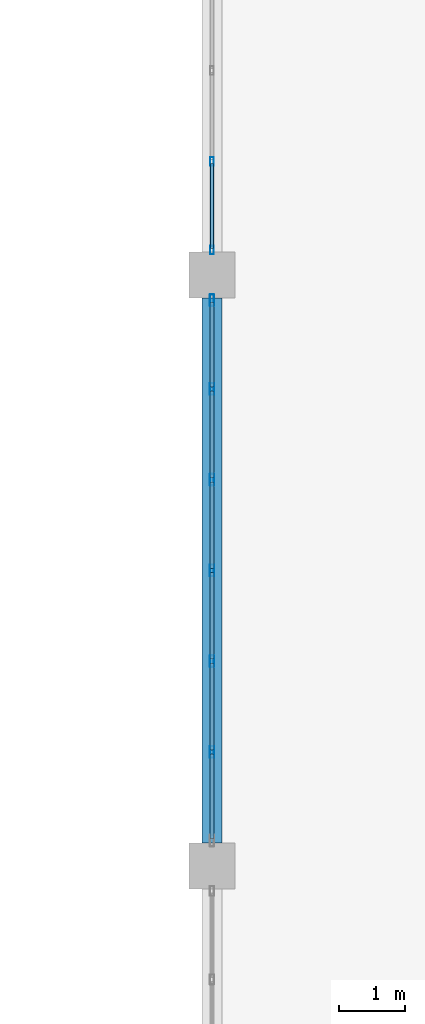
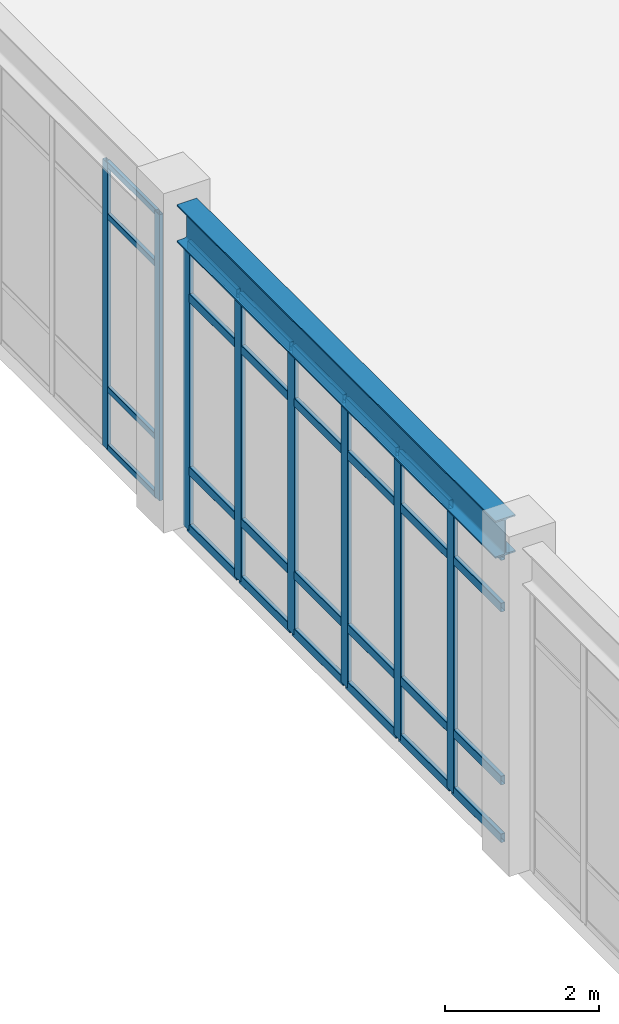
# One storey, part 34 of 80: 36 members, 1 beam, 2 elements without a shape of their own.
"""IFC4 building model written with IfcOpenShell, lengths in metres."""

import ifcopenshell
import ifcopenshell.guid

model = None  # the IFC model being written
_history = None  # IfcOwnerHistory: only IFC2X3 demands one
_inside = {}  # id of a spatial element -> (the spatial element, [elements in it])
_under = {}  # id of a project, library or spatial element -> (it, [spatial elements below it])
_declared = {}  # id of a project -> (the project, [libraries it declares])
_typed = {}  # id of a type object -> (the type object, [elements of that type])
_made_of = {}  # id of a material, layer set ... -> (it, [elements and type objects made of it])


def new_model(schema):
    """Start an empty IFC model of exactly this schema.

    Asked for "IFC4X3", IfcOpenShell would pick the latest addendum, in which some entities
    have other attributes; the version numbers below select the first issue.
    IFC2X3 requires an IfcOwnerHistory on every rooted entity: one is made here for all.
    """
    global model, _history
    if schema == "IFC4X3":
        model = ifcopenshell.file(schema_version=(4, 3, 0, 0))
    else:
        model = ifcopenshell.file(schema=schema)
    _inside.clear()
    _under.clear()
    _declared.clear()
    _typed.clear()
    _made_of.clear()
    _history = None
    if model.schema == "IFC2X3":
        org = make("IfcOrganization", Name="unknown")
        user = make(
            "IfcPersonAndOrganization",
            ThePerson=make("IfcPerson", FamilyName="unknown"),
            TheOrganization=org,
        )
        app = make(
            "IfcApplication",
            ApplicationDeveloper=org,
            Version="unknown",
            ApplicationFullName="unknown",
            ApplicationIdentifier="unknown",
        )
        _history = make(
            "IfcOwnerHistory",
            OwningUser=user,
            OwningApplication=app,
            ChangeAction="ADDED",
            CreationDate=0,
        )
    return model


def make(cls, **values):
    """One entity of the class cls with the attributes given. An attribute that is None is left unset."""
    return model.create_entity(
        cls, **{name: value for name, value in values.items() if value is not None}
    )


def rooted(cls, **values):
    """An entity with a GlobalId (a new one), such as an element, a storey or a relation."""
    return make(cls, GlobalId=ifcopenshell.guid.new(), OwnerHistory=_history, **values)


def si_unit(unit_type, name, prefix=None):
    """IfcSIUnit, for example si_unit("LENGTHUNIT", "METRE", prefix="MILLI")."""
    return make("IfcSIUnit", UnitType=unit_type, Prefix=prefix, Name=name)


def assignment(units):
    """IfcUnitAssignment: the units of a project."""
    return None if units is None else make("IfcUnitAssignment", Units=units)


def point(xyz):
    """IfcCartesianPoint."""
    return None if xyz is None else make("IfcCartesianPoint", Coordinates=xyz)


def direction(xyz):
    """IfcDirection."""
    return None if xyz is None else make("IfcDirection", DirectionRatios=xyz)


def frame(location, z_axis=None, x_axis=None):
    """IfcAxis2Placement3D, a coordinate frame: its origin and axes. An axis left out is left unset."""
    return make(
        "IfcAxis2Placement3D",
        Location=point(location),
        Axis=direction(z_axis),
        RefDirection=direction(x_axis),
    )


def frame_2d(location, x_axis=None):
    """IfcAxis2Placement2D, a coordinate frame in the plane: its origin and x axis."""
    return make(
        "IfcAxis2Placement2D", Location=point(location), RefDirection=direction(x_axis)
    )


def origin():
    """The frame at (0, 0, 0) with its axes left unset."""
    return frame((0.0, 0.0, 0.0))


def origin_2d():
    """The frame at (0, 0) in the plane with its x axis left unset."""
    return frame_2d((0.0, 0.0))


def place(relative_to, where):
    """IfcLocalPlacement: puts the frame where relative to a parent placement (None: the world)."""
    return make(
        "IfcLocalPlacement", PlacementRelTo=relative_to, RelativePlacement=where
    )


def context(
    kind, dimensions, precision=None, world=None, true_north=None, identifier=None
):
    """IfcGeometricRepresentationContext, for example the 3D "Model" context."""
    return make(
        "IfcGeometricRepresentationContext",
        ContextIdentifier=identifier,
        ContextType=kind,
        CoordinateSpaceDimension=dimensions,
        Precision=precision,
        WorldCoordinateSystem=world,
        TrueNorth=true_north,
    )


def subcontext(parent, identifier, kind, view, scale=None):
    """IfcGeometricRepresentationSubContext, for example "Body" below "Model"."""
    return make(
        "IfcGeometricRepresentationSubContext",
        ContextIdentifier=identifier,
        ContextType=kind,
        ParentContext=parent,
        TargetScale=scale,
        TargetView=view,
    )


def project(units=None, contexts=None):
    """IfcProject with its units and contexts."""
    return rooted(
        "IfcProject",
        Name="project",
        RepresentationContexts=contexts,
        UnitsInContext=assignment(units),
    )


def spatial(cls, under=None, at=None, **own):
    """A site, building, storey or space (cls), placed at a placement, below another one or the project."""
    s = rooted(cls, ObjectPlacement=at, **own)
    if under is not None:
        _under.setdefault(under.id(), (under, []))[1].append(s)
    return s


def profile(cls, at=None, kind="AREA", **sizes):
    """A parametric profile (cls). Its sizes go by their IFC names, for example OverallWidth=200.0."""
    return make(cls, ProfileType=kind, Position=at, **sizes)


def hollow_rectangle(**sizes):
    """IfcRectangleHollowProfileDef."""
    return profile("IfcRectangleHollowProfileDef", **sizes)


def i_section(**sizes):
    """IfcIShapeProfileDef."""
    return profile("IfcIShapeProfileDef", **sizes)


def extrude(swept, where, along, depth):
    """IfcExtrudedAreaSolid: the profile swept, set in the frame where, extruded along a direction by depth."""
    return make(
        "IfcExtrudedAreaSolid",
        SweptArea=swept,
        Position=where,
        ExtrudedDirection=direction(along),
        Depth=depth,
    )


def shape(context_of_items, identifier, shape_type, items):
    """IfcShapeRepresentation: the items that make up one representation, for example the "Body"."""
    return make(
        "IfcShapeRepresentation",
        ContextOfItems=context_of_items,
        RepresentationIdentifier=identifier,
        RepresentationType=shape_type,
        Items=items,
    )


def material(Name=None, Category=None):
    """IfcMaterial."""
    return make("IfcMaterial", Name=Name, Category=Category)


def material_profile(
    of_material, cross_section, Name=None, Category=None, Priority=None
):
    """IfcMaterialProfile: a cross section and its material."""
    return make(
        "IfcMaterialProfile",
        Name=Name,
        Material=of_material,
        Profile=cross_section,
        Priority=Priority,
        Category=Category,
    )


def profile_set(profiles, Name=None, composite=None):
    """IfcMaterialProfileSet."""
    return make(
        "IfcMaterialProfileSet",
        Name=Name,
        MaterialProfiles=profiles,
        CompositeProfile=composite,
    )


def made_of(thing, what):
    """Note that an element or type object is made of a material, layer set ...; save() writes the relation."""
    if what is not None:
        _made_of.setdefault(what.id(), (what, []))[1].append(thing)
    return thing


def type_object(cls, material=None, **own):
    """A type object (cls), such as IfcWallType, which elements share."""
    return made_of(rooted(cls, **own), material)


def element(
    cls,
    number,
    at=None,
    inside=None,
    cuts=None,
    type_object=None,
    material=None,
    context=None,
    identifier="Body",
    shape_type=None,
    held_by="IfcProductDefinitionShape",
    body=None,
    shapes=None,
    **own,
):
    """One element of the class cls, such as IfcWall. Its Tag is "e" and its number.

    at: its placement. inside: the storey or other place that contains it. cuts: it is an
    opening in that element (IfcRelVoidsElement). A single representation is given by context,
    identifier, shape_type and body (its items); several are given by shapes. held_by: the class
    of the entity that holds the representations. save() writes the other relations.
    """
    e = rooted(cls, Tag="e%d" % number, ObjectPlacement=at, **own)
    if body is not None:
        shapes = [shape(context, identifier, shape_type, body)]
    if shapes is not None:
        e.Representation = make(held_by, Representations=shapes)
    if inside is not None:
        _inside.setdefault(inside.id(), (inside, []))[1].append(e)
    if cuts is not None:
        rooted(
            "IfcRelVoidsElement", RelatingBuildingElement=cuts, RelatedOpeningElement=e
        )
    if type_object is not None:
        _typed.setdefault(type_object.id(), (type_object, []))[1].append(e)
    return made_of(e, material)


def aggregate(whole, parts):
    """IfcRelAggregates: a whole, such as a stair, and the parts it consists of."""
    return rooted("IfcRelAggregates", RelatingObject=whole, RelatedObjects=parts)


def save(model, path):
    """Write the relations noted so far, then the file.

    IfcRelAggregates (storeys below a building ...), IfcRelContainedInSpatialStructure (elements
    in a storey), IfcRelDefinesByType, IfcRelAssociatesMaterial and IfcRelDeclares: one each for
    every whole, place, type object, material and project.
    """
    for whole, parts in _under.values():
        aggregate(whole, parts)
    for where, things in _inside.values():
        rooted(
            "IfcRelContainedInSpatialStructure",
            RelatedElements=things,
            RelatingStructure=where,
        )
    for kind, things in _typed.values():
        rooted("IfcRelDefinesByType", RelatedObjects=things, RelatingType=kind)
    for what, things in _made_of.values():
        rooted("IfcRelAssociatesMaterial", RelatedObjects=things, RelatingMaterial=what)
    for by, libraries in _declared.values():
        rooted("IfcRelDeclares", RelatingContext=by, RelatedDefinitions=libraries)
    model.write(path)


model = new_model("IFC4")

# Units and contexts
model_context = context("Model", 3, precision=1e-05, world=origin(), true_north=direction((0.0, 1.0)))
body_context = subcontext(model_context, "Body", "Model", "MODEL_VIEW")
ifc_project = project(units=[si_unit("LENGTHUNIT", "METRE"), si_unit("AREAUNIT", "SQUARE_METRE"), si_unit("VOLUMEUNIT", "CUBIC_METRE"), si_unit("PLANEANGLEUNIT", "RADIAN"), si_unit("MASSUNIT", "GRAM", prefix="KILO")], contexts=[model_context])

# Site, building, storey
site_placement = place(None, origin())
site = spatial("IfcSite", under=ifc_project, at=site_placement, CompositionType="ELEMENT")
building_placement = place(site_placement, origin())
building = spatial("IfcBuilding", under=site, at=building_placement, Name="Canglan Escarpment Cableway Terminal", CompositionType="ELEMENT")
storey_placement = place(building_placement, frame((0.0, 0.0, 19.199951171875)))
storey = spatial("IfcBuildingStorey", under=building, at=storey_placement, Name="L04", CompositionType="ELEMENT", Elevation=19.199951171875)

# Beam
ifc_material_1 = material(Name="Steel Q355C", Category="steel")
ifc_material_profile_1 = material_profile(ifc_material_1, i_section(OverallWidth=0.302001953125, OverallDepth=0.593994140625, WebThickness=0.013916015625, FlangeThickness=0.02294921875, FilletRadius=0.028076171875, at=origin_2d()), Name="HM 594x302x14x23")
ifc_profile_set_1 = profile_set([ifc_material_profile_1], Name="Steel Q355C")
beam_type = type_object("IfcBeamType", Name="BM-HM594", PredefinedType="BEAM", material=ifc_profile_set_1)
beam_placement = place(storey_placement, frame((137.60009765625, 70.35009765625, 4.863037109375), z_axis=(0.0, 1.0, 0.0), x_axis=(-1.0, 0.0, 0.0)))
element("IfcBeam", 1, at=beam_placement, inside=storey, type_object=beam_type, Name="Primary transverse girder B-07", PredefinedType="BEAM", context=body_context, shape_type="SweptSolid", body=[
    extrude(i_section(OverallWidth=0.302001953125, OverallDepth=0.593994140625, WebThickness=0.013916015625, FlangeThickness=0.02294921875, FilletRadius=0.028076171875, at=origin_2d()), origin(), (0.0, 0.0, 1.0), 8.2998046875),
])

# Curtain wall, members
ifc_material_2 = material(Name="Anodized bronze aluminium and Low-E double glazing", Category="aluminium")
curtain_wall_type = type_object("IfcCurtainWallType", Name="CW-BAY-8300x4550", PredefinedType="NOTDEFINED", material=ifc_material_2)
curtain_wall_1_placement = place(storey_placement, origin())
curtain_wall_1 = element("IfcCurtainWall", 2, at=curtain_wall_1_placement, inside=storey, type_object=curtain_wall_type, Name="Classical bay-between-piers glazed curtain wall CW-64", PredefinedType="NOTDEFINED")
ifc_material_3 = material(Name="Thermally broken anodized aluminium 6063-T6", Category="aluminium")
ifc_material_profile_2 = material_profile(ifc_material_3, hollow_rectangle(XDim=0.06005859375, YDim=0.1298828125, WallThickness=0.0029296875, InnerFilletRadius=0.0029296875, OuterFilletRadius=0.006103515625, at=origin_2d()), Name="ALU-MULL 60x130x3")
ifc_profile_set_2 = profile_set([ifc_material_profile_2], Name="Thermally broken anodized aluminium 6063-T6")
member_type_1 = type_object("IfcMemberType", Name="CWM-01", PredefinedType="MULLION", material=ifc_profile_set_2)
member_1_placement = place(storey_placement, frame((137.60009765625, 80.7333984375, 0.0), z_axis=(0.0, 0.0, 1.0), x_axis=(1.0, 0.0, 0.0)))
member_1 = element("IfcMember", 3, at=member_1_placement, type_object=member_type_1, Name="CW-64 mullion 6", PredefinedType="MULLION", context=body_context, shape_type="SweptSolid", body=[
    extrude(hollow_rectangle(XDim=0.06005859375, YDim=0.1298828125, WallThickness=0.0029296875, InnerFilletRadius=0.0029296875, OuterFilletRadius=0.006103515625, at=origin_2d()), origin(), (0.0, 0.0, 1.0), 4.551025390625),
])
member_2_placement = place(storey_placement, frame((137.60009765625, 79.3798828125, 0.0), z_axis=(0.0, 0.0, 1.0), x_axis=(1.0, 0.0, 0.0)))
member_2 = element("IfcMember", 4, at=member_2_placement, type_object=member_type_1, Name="CW-64 mullion 7", PredefinedType="MULLION", context=body_context, shape_type="SweptSolid", body=[
    extrude(hollow_rectangle(XDim=0.06005859375, YDim=0.1298828125, WallThickness=0.0029296875, InnerFilletRadius=0.0029296875, OuterFilletRadius=0.006103515625, at=origin_2d()), origin(), (0.0, 0.0, 1.0), 4.551025390625),
])

curtain_wall_2_placement = place(storey_placement, origin())
curtain_wall_2 = element("IfcCurtainWall", 5, at=curtain_wall_2_placement, inside=storey, type_object=curtain_wall_type, Name="Classical bay-between-piers glazed curtain wall CW-64", PredefinedType="NOTDEFINED")
ifc_material_profile_3 = material_profile(ifc_material_3, hollow_rectangle(XDim=0.06494140625, YDim=0.179931640625, WallThickness=0.00390625, InnerFilletRadius=0.00390625, OuterFilletRadius=0.008056640625, at=origin_2d()), Name="ALU-MULL 65x180x4")
ifc_profile_set_3 = profile_set([ifc_material_profile_3], Name="Thermally broken anodized aluminium 6063-T6")
member_type_2 = type_object("IfcMemberType", Name="CWM-03", PredefinedType="MULLION", material=ifc_profile_set_3)
member_3_placement = place(storey_placement, frame((137.60009765625, 78.617431640625, 0.0), z_axis=(0.0, 0.0, 1.0), x_axis=(1.0, 0.0, 0.0)))
member_3 = element("IfcMember", 6, at=member_3_placement, type_object=member_type_2, Name="CW-64 mullion 1", PredefinedType="MULLION", context=body_context, shape_type="SweptSolid", body=[
    extrude(hollow_rectangle(XDim=0.06494140625, YDim=0.179931640625, WallThickness=0.00390625, InnerFilletRadius=0.00390625, OuterFilletRadius=0.008056640625, at=origin_2d()), origin(), (0.0, 0.0, 1.0), 4.551025390625),
])
member_4_placement = place(storey_placement, frame((137.60009765625, 77.2666015625, 0.0), z_axis=(0.0, 0.0, 1.0), x_axis=(1.0, 0.0, 0.0)))
member_4 = element("IfcMember", 7, at=member_4_placement, type_object=member_type_2, Name="CW-64 mullion 2", PredefinedType="MULLION", context=body_context, shape_type="SweptSolid", body=[
    extrude(hollow_rectangle(XDim=0.06494140625, YDim=0.179931640625, WallThickness=0.00390625, InnerFilletRadius=0.00390625, OuterFilletRadius=0.008056640625, at=origin_2d()), origin(), (0.0, 0.0, 1.0), 4.551025390625),
])
member_5_placement = place(storey_placement, frame((137.60009765625, 75.88330078125, 0.0), z_axis=(0.0, 0.0, 1.0), x_axis=(1.0, 0.0, 0.0)))
member_5 = element("IfcMember", 8, at=member_5_placement, type_object=member_type_2, Name="CW-64 mullion 3", PredefinedType="MULLION", context=body_context, shape_type="SweptSolid", body=[
    extrude(hollow_rectangle(XDim=0.06494140625, YDim=0.179931640625, WallThickness=0.00390625, InnerFilletRadius=0.00390625, OuterFilletRadius=0.008056640625, at=origin_2d()), origin(), (0.0, 0.0, 1.0), 4.551025390625),
])
member_6_placement = place(storey_placement, frame((137.60009765625, 74.5, 0.0), z_axis=(0.0, 0.0, 1.0), x_axis=(1.0, 0.0, 0.0)))
member_6 = element("IfcMember", 9, at=member_6_placement, type_object=member_type_2, Name="CW-64 mullion 4", PredefinedType="MULLION", context=body_context, shape_type="SweptSolid", body=[
    extrude(hollow_rectangle(XDim=0.06494140625, YDim=0.179931640625, WallThickness=0.00390625, InnerFilletRadius=0.00390625, OuterFilletRadius=0.008056640625, at=origin_2d()), origin(), (0.0, 0.0, 1.0), 4.551025390625),
])
member_7_placement = place(storey_placement, frame((137.60009765625, 73.11669921875, 0.0), z_axis=(0.0, 0.0, 1.0), x_axis=(1.0, 0.0, 0.0)))
member_7 = element("IfcMember", 10, at=member_7_placement, type_object=member_type_2, Name="CW-64 mullion 5", PredefinedType="MULLION", context=body_context, shape_type="SweptSolid", body=[
    extrude(hollow_rectangle(XDim=0.06494140625, YDim=0.179931640625, WallThickness=0.00390625, InnerFilletRadius=0.00390625, OuterFilletRadius=0.008056640625, at=origin_2d()), origin(), (0.0, 0.0, 1.0), 4.551025390625),
])
member_8_placement = place(storey_placement, frame((137.60009765625, 71.7333984375, 0.0), z_axis=(0.0, 0.0, 1.0), x_axis=(1.0, 0.0, 0.0)))
member_8 = element("IfcMember", 11, at=member_8_placement, type_object=member_type_2, Name="CW-64 mullion 6", PredefinedType="MULLION", context=body_context, shape_type="SweptSolid", body=[
    extrude(hollow_rectangle(XDim=0.06494140625, YDim=0.179931640625, WallThickness=0.00390625, InnerFilletRadius=0.00390625, OuterFilletRadius=0.008056640625, at=origin_2d()), origin(), (0.0, 0.0, 1.0), 4.551025390625),
])

# Member
ifc_material_profile_4 = material_profile(ifc_material_3, hollow_rectangle(XDim=0.054931640625, YDim=0.094970703125, WallThickness=0.0029296875, InnerFilletRadius=0.0029296875, OuterFilletRadius=0.006103515625, at=origin_2d()), Name="ALU-TRAN 55x95x3")
ifc_profile_set_4 = profile_set([ifc_material_profile_4], Name="Thermally broken anodized aluminium 6063-T6")
member_type_3 = type_object("IfcMemberType", Name="CWT-01", PredefinedType="USERDEFINED", material=ifc_profile_set_4)
member_9_placement = place(storey_placement, frame((137.60009765625, 80.703369140625, 0.027587890625), z_axis=(0.0, -1.0, 0.0), x_axis=(1.0, 0.0, 0.0)))
member_9 = element("IfcMember", 12, at=member_9_placement, type_object=member_type_3, Name="CW-64 transom 6.1", ObjectType="TRANSOM", PredefinedType="USERDEFINED", context=body_context, shape_type="SweptSolid", body=[
    extrude(hollow_rectangle(XDim=0.054931640625, YDim=0.094970703125, WallThickness=0.0029296875, InnerFilletRadius=0.0029296875, OuterFilletRadius=0.006103515625, at=origin_2d()), origin(), (0.0, 0.0, 1.0), 1.29345703125),
])

member_10_placement = place(storey_placement, frame((137.60009765625, 80.703369140625, 0.949951171875), z_axis=(0.0, -1.0, 0.0), x_axis=(1.0, 0.0, 0.0)))
member_10 = element("IfcMember", 13, at=member_10_placement, type_object=member_type_3, Name="CW-64 transom 6.2", ObjectType="TRANSOM", PredefinedType="USERDEFINED", context=body_context, shape_type="SweptSolid", body=[
    extrude(hollow_rectangle(XDim=0.054931640625, YDim=0.094970703125, WallThickness=0.0029296875, InnerFilletRadius=0.0029296875, OuterFilletRadius=0.006103515625, at=origin_2d()), origin(), (0.0, 0.0, 1.0), 1.29345703125),
])

member_11_placement = place(storey_placement, frame((137.60009765625, 80.703369140625, 3.700927734375), z_axis=(0.0, -1.0, 0.0), x_axis=(1.0, 0.0, 0.0)))
member_11 = element("IfcMember", 14, at=member_11_placement, type_object=member_type_3, Name="CW-64 transom 6.3", ObjectType="TRANSOM", PredefinedType="USERDEFINED", context=body_context, shape_type="SweptSolid", body=[
    extrude(hollow_rectangle(XDim=0.054931640625, YDim=0.094970703125, WallThickness=0.0029296875, InnerFilletRadius=0.0029296875, OuterFilletRadius=0.006103515625, at=origin_2d()), origin(), (0.0, 0.0, 1.0), 1.29345703125),
])

member_12_placement = place(storey_placement, frame((137.60009765625, 80.703369140625, 4.5234375), z_axis=(0.0, -1.0, 0.0), x_axis=(1.0, 0.0, 0.0)))
member_12 = element("IfcMember", 15, at=member_12_placement, type_object=member_type_3, Name="CW-64 transom 6.4", ObjectType="TRANSOM", PredefinedType="USERDEFINED", context=body_context, shape_type="SweptSolid", body=[
    extrude(hollow_rectangle(XDim=0.054931640625, YDim=0.094970703125, WallThickness=0.0029296875, InnerFilletRadius=0.0029296875, OuterFilletRadius=0.006103515625, at=origin_2d()), origin(), (0.0, 0.0, 1.0), 1.29345703125),
])

aggregate(curtain_wall_1, [member_1, member_2, member_9, member_10, member_11, member_12])

ifc_material_profile_5 = material_profile(ifc_material_3, hollow_rectangle(XDim=0.06494140625, YDim=0.139892578125, WallThickness=0.00341796875, InnerFilletRadius=0.00341796875, OuterFilletRadius=0.007080078125, at=origin_2d()), Name="ALU-TRAN 65x140x3.5")
ifc_profile_set_5 = profile_set([ifc_material_profile_5], Name="Thermally broken anodized aluminium 6063-T6")
member_type_4 = type_object("IfcMemberType", Name="CWT-03", PredefinedType="USERDEFINED", material=ifc_profile_set_5)
member_13_placement = place(storey_placement, frame((137.60009765625, 78.5849609375, 0.032470703125), z_axis=(0.0, -1.0, 0.0), x_axis=(1.0, 0.0, 0.0)))
member_13 = element("IfcMember", 16, at=member_13_placement, type_object=member_type_4, Name="CW-64 transom 1.1", ObjectType="TRANSOM", PredefinedType="USERDEFINED", context=body_context, shape_type="SweptSolid", body=[
    extrude(hollow_rectangle(XDim=0.06494140625, YDim=0.139892578125, WallThickness=0.00341796875, InnerFilletRadius=0.00341796875, OuterFilletRadius=0.007080078125, at=origin_2d()), origin(), (0.0, 0.0, 1.0), 1.285888671875),
])

member_14_placement = place(storey_placement, frame((137.60009765625, 78.5849609375, 0.949951171875), z_axis=(0.0, -1.0, 0.0), x_axis=(1.0, 0.0, 0.0)))
member_14 = element("IfcMember", 17, at=member_14_placement, type_object=member_type_4, Name="CW-64 transom 1.2", ObjectType="TRANSOM", PredefinedType="USERDEFINED", context=body_context, shape_type="SweptSolid", body=[
    extrude(hollow_rectangle(XDim=0.06494140625, YDim=0.139892578125, WallThickness=0.00341796875, InnerFilletRadius=0.00341796875, OuterFilletRadius=0.007080078125, at=origin_2d()), origin(), (0.0, 0.0, 1.0), 1.285888671875),
])

member_15_placement = place(storey_placement, frame((137.60009765625, 78.5849609375, 3.700927734375), z_axis=(0.0, -1.0, 0.0), x_axis=(1.0, 0.0, 0.0)))
member_15 = element("IfcMember", 18, at=member_15_placement, type_object=member_type_4, Name="CW-64 transom 1.3", ObjectType="TRANSOM", PredefinedType="USERDEFINED", context=body_context, shape_type="SweptSolid", body=[
    extrude(hollow_rectangle(XDim=0.06494140625, YDim=0.139892578125, WallThickness=0.00341796875, InnerFilletRadius=0.00341796875, OuterFilletRadius=0.007080078125, at=origin_2d()), origin(), (0.0, 0.0, 1.0), 1.285888671875),
])

member_16_placement = place(storey_placement, frame((137.60009765625, 78.5849609375, 4.5185546875), z_axis=(0.0, -1.0, 0.0), x_axis=(1.0, 0.0, 0.0)))
member_16 = element("IfcMember", 19, at=member_16_placement, type_object=member_type_4, Name="CW-64 transom 1.4", ObjectType="TRANSOM", PredefinedType="USERDEFINED", context=body_context, shape_type="SweptSolid", body=[
    extrude(hollow_rectangle(XDim=0.06494140625, YDim=0.139892578125, WallThickness=0.00341796875, InnerFilletRadius=0.00341796875, OuterFilletRadius=0.007080078125, at=origin_2d()), origin(), (0.0, 0.0, 1.0), 1.285888671875),
])

member_17_placement = place(storey_placement, frame((137.60009765625, 77.234130859375, 0.032470703125), z_axis=(0.0, -1.0, 0.0), x_axis=(1.0, 0.0, 0.0)))
member_17 = element("IfcMember", 20, at=member_17_placement, type_object=member_type_4, Name="CW-64 transom 2.1", ObjectType="TRANSOM", PredefinedType="USERDEFINED", context=body_context, shape_type="SweptSolid", body=[
    extrude(hollow_rectangle(XDim=0.06494140625, YDim=0.139892578125, WallThickness=0.00341796875, InnerFilletRadius=0.00341796875, OuterFilletRadius=0.007080078125, at=origin_2d()), origin(), (0.0, 0.0, 1.0), 1.318359375),
])

member_18_placement = place(storey_placement, frame((137.60009765625, 77.234130859375, 0.949951171875), z_axis=(0.0, -1.0, 0.0), x_axis=(1.0, 0.0, 0.0)))
member_18 = element("IfcMember", 21, at=member_18_placement, type_object=member_type_4, Name="CW-64 transom 2.2", ObjectType="TRANSOM", PredefinedType="USERDEFINED", context=body_context, shape_type="SweptSolid", body=[
    extrude(hollow_rectangle(XDim=0.06494140625, YDim=0.139892578125, WallThickness=0.00341796875, InnerFilletRadius=0.00341796875, OuterFilletRadius=0.007080078125, at=origin_2d()), origin(), (0.0, 0.0, 1.0), 1.318359375),
])

member_19_placement = place(storey_placement, frame((137.60009765625, 77.234130859375, 3.700927734375), z_axis=(0.0, -1.0, 0.0), x_axis=(1.0, 0.0, 0.0)))
member_19 = element("IfcMember", 22, at=member_19_placement, type_object=member_type_4, Name="CW-64 transom 2.3", ObjectType="TRANSOM", PredefinedType="USERDEFINED", context=body_context, shape_type="SweptSolid", body=[
    extrude(hollow_rectangle(XDim=0.06494140625, YDim=0.139892578125, WallThickness=0.00341796875, InnerFilletRadius=0.00341796875, OuterFilletRadius=0.007080078125, at=origin_2d()), origin(), (0.0, 0.0, 1.0), 1.318359375),
])

member_20_placement = place(storey_placement, frame((137.60009765625, 77.234130859375, 4.5185546875), z_axis=(0.0, -1.0, 0.0), x_axis=(1.0, 0.0, 0.0)))
member_20 = element("IfcMember", 23, at=member_20_placement, type_object=member_type_4, Name="CW-64 transom 2.4", ObjectType="TRANSOM", PredefinedType="USERDEFINED", context=body_context, shape_type="SweptSolid", body=[
    extrude(hollow_rectangle(XDim=0.06494140625, YDim=0.139892578125, WallThickness=0.00341796875, InnerFilletRadius=0.00341796875, OuterFilletRadius=0.007080078125, at=origin_2d()), origin(), (0.0, 0.0, 1.0), 1.318359375),
])

member_21_placement = place(storey_placement, frame((137.60009765625, 75.850830078125, 0.032470703125), z_axis=(0.0, -1.0, 0.0), x_axis=(1.0, 0.0, 0.0)))
member_21 = element("IfcMember", 24, at=member_21_placement, type_object=member_type_4, Name="CW-64 transom 3.1", ObjectType="TRANSOM", PredefinedType="USERDEFINED", context=body_context, shape_type="SweptSolid", body=[
    extrude(hollow_rectangle(XDim=0.06494140625, YDim=0.139892578125, WallThickness=0.00341796875, InnerFilletRadius=0.00341796875, OuterFilletRadius=0.007080078125, at=origin_2d()), origin(), (0.0, 0.0, 1.0), 1.318359375),
])

member_22_placement = place(storey_placement, frame((137.60009765625, 75.850830078125, 0.949951171875), z_axis=(0.0, -1.0, 0.0), x_axis=(1.0, 0.0, 0.0)))
member_22 = element("IfcMember", 25, at=member_22_placement, type_object=member_type_4, Name="CW-64 transom 3.2", ObjectType="TRANSOM", PredefinedType="USERDEFINED", context=body_context, shape_type="SweptSolid", body=[
    extrude(hollow_rectangle(XDim=0.06494140625, YDim=0.139892578125, WallThickness=0.00341796875, InnerFilletRadius=0.00341796875, OuterFilletRadius=0.007080078125, at=origin_2d()), origin(), (0.0, 0.0, 1.0), 1.318359375),
])

member_23_placement = place(storey_placement, frame((137.60009765625, 75.850830078125, 3.700927734375), z_axis=(0.0, -1.0, 0.0), x_axis=(1.0, 0.0, 0.0)))
member_23 = element("IfcMember", 26, at=member_23_placement, type_object=member_type_4, Name="CW-64 transom 3.3", ObjectType="TRANSOM", PredefinedType="USERDEFINED", context=body_context, shape_type="SweptSolid", body=[
    extrude(hollow_rectangle(XDim=0.06494140625, YDim=0.139892578125, WallThickness=0.00341796875, InnerFilletRadius=0.00341796875, OuterFilletRadius=0.007080078125, at=origin_2d()), origin(), (0.0, 0.0, 1.0), 1.318359375),
])

member_24_placement = place(storey_placement, frame((137.60009765625, 75.850830078125, 4.5185546875), z_axis=(0.0, -1.0, 0.0), x_axis=(1.0, 0.0, 0.0)))
member_24 = element("IfcMember", 27, at=member_24_placement, type_object=member_type_4, Name="CW-64 transom 3.4", ObjectType="TRANSOM", PredefinedType="USERDEFINED", context=body_context, shape_type="SweptSolid", body=[
    extrude(hollow_rectangle(XDim=0.06494140625, YDim=0.139892578125, WallThickness=0.00341796875, InnerFilletRadius=0.00341796875, OuterFilletRadius=0.007080078125, at=origin_2d()), origin(), (0.0, 0.0, 1.0), 1.318359375),
])

member_25_placement = place(storey_placement, frame((137.60009765625, 74.467529296875, 0.032470703125), z_axis=(0.0, -1.0, 0.0), x_axis=(1.0, 0.0, 0.0)))
member_25 = element("IfcMember", 28, at=member_25_placement, type_object=member_type_4, Name="CW-64 transom 4.1", ObjectType="TRANSOM", PredefinedType="USERDEFINED", context=body_context, shape_type="SweptSolid", body=[
    extrude(hollow_rectangle(XDim=0.06494140625, YDim=0.139892578125, WallThickness=0.00341796875, InnerFilletRadius=0.00341796875, OuterFilletRadius=0.007080078125, at=origin_2d()), origin(), (0.0, 0.0, 1.0), 1.318359375),
])

member_26_placement = place(storey_placement, frame((137.60009765625, 74.467529296875, 0.949951171875), z_axis=(0.0, -1.0, 0.0), x_axis=(1.0, 0.0, 0.0)))
member_26 = element("IfcMember", 29, at=member_26_placement, type_object=member_type_4, Name="CW-64 transom 4.2", ObjectType="TRANSOM", PredefinedType="USERDEFINED", context=body_context, shape_type="SweptSolid", body=[
    extrude(hollow_rectangle(XDim=0.06494140625, YDim=0.139892578125, WallThickness=0.00341796875, InnerFilletRadius=0.00341796875, OuterFilletRadius=0.007080078125, at=origin_2d()), origin(), (0.0, 0.0, 1.0), 1.318359375),
])

member_27_placement = place(storey_placement, frame((137.60009765625, 74.467529296875, 3.700927734375), z_axis=(0.0, -1.0, 0.0), x_axis=(1.0, 0.0, 0.0)))
member_27 = element("IfcMember", 30, at=member_27_placement, type_object=member_type_4, Name="CW-64 transom 4.3", ObjectType="TRANSOM", PredefinedType="USERDEFINED", context=body_context, shape_type="SweptSolid", body=[
    extrude(hollow_rectangle(XDim=0.06494140625, YDim=0.139892578125, WallThickness=0.00341796875, InnerFilletRadius=0.00341796875, OuterFilletRadius=0.007080078125, at=origin_2d()), origin(), (0.0, 0.0, 1.0), 1.318359375),
])

member_28_placement = place(storey_placement, frame((137.60009765625, 74.467529296875, 4.5185546875), z_axis=(0.0, -1.0, 0.0), x_axis=(1.0, 0.0, 0.0)))
member_28 = element("IfcMember", 31, at=member_28_placement, type_object=member_type_4, Name="CW-64 transom 4.4", ObjectType="TRANSOM", PredefinedType="USERDEFINED", context=body_context, shape_type="SweptSolid", body=[
    extrude(hollow_rectangle(XDim=0.06494140625, YDim=0.139892578125, WallThickness=0.00341796875, InnerFilletRadius=0.00341796875, OuterFilletRadius=0.007080078125, at=origin_2d()), origin(), (0.0, 0.0, 1.0), 1.318359375),
])

member_29_placement = place(storey_placement, frame((137.60009765625, 73.084228515625, 0.032470703125), z_axis=(0.0, -1.0, 0.0), x_axis=(1.0, 0.0, 0.0)))
member_29 = element("IfcMember", 32, at=member_29_placement, type_object=member_type_4, Name="CW-64 transom 5.1", ObjectType="TRANSOM", PredefinedType="USERDEFINED", context=body_context, shape_type="SweptSolid", body=[
    extrude(hollow_rectangle(XDim=0.06494140625, YDim=0.139892578125, WallThickness=0.00341796875, InnerFilletRadius=0.00341796875, OuterFilletRadius=0.007080078125, at=origin_2d()), origin(), (0.0, 0.0, 1.0), 1.318359375),
])

member_30_placement = place(storey_placement, frame((137.60009765625, 73.084228515625, 0.949951171875), z_axis=(0.0, -1.0, 0.0), x_axis=(1.0, 0.0, 0.0)))
member_30 = element("IfcMember", 33, at=member_30_placement, type_object=member_type_4, Name="CW-64 transom 5.2", ObjectType="TRANSOM", PredefinedType="USERDEFINED", context=body_context, shape_type="SweptSolid", body=[
    extrude(hollow_rectangle(XDim=0.06494140625, YDim=0.139892578125, WallThickness=0.00341796875, InnerFilletRadius=0.00341796875, OuterFilletRadius=0.007080078125, at=origin_2d()), origin(), (0.0, 0.0, 1.0), 1.318359375),
])

member_31_placement = place(storey_placement, frame((137.60009765625, 73.084228515625, 3.700927734375), z_axis=(0.0, -1.0, 0.0), x_axis=(1.0, 0.0, 0.0)))
member_31 = element("IfcMember", 34, at=member_31_placement, type_object=member_type_4, Name="CW-64 transom 5.3", ObjectType="TRANSOM", PredefinedType="USERDEFINED", context=body_context, shape_type="SweptSolid", body=[
    extrude(hollow_rectangle(XDim=0.06494140625, YDim=0.139892578125, WallThickness=0.00341796875, InnerFilletRadius=0.00341796875, OuterFilletRadius=0.007080078125, at=origin_2d()), origin(), (0.0, 0.0, 1.0), 1.318359375),
])

member_32_placement = place(storey_placement, frame((137.60009765625, 73.084228515625, 4.5185546875), z_axis=(0.0, -1.0, 0.0), x_axis=(1.0, 0.0, 0.0)))
member_32 = element("IfcMember", 35, at=member_32_placement, type_object=member_type_4, Name="CW-64 transom 5.4", ObjectType="TRANSOM", PredefinedType="USERDEFINED", context=body_context, shape_type="SweptSolid", body=[
    extrude(hollow_rectangle(XDim=0.06494140625, YDim=0.139892578125, WallThickness=0.00341796875, InnerFilletRadius=0.00341796875, OuterFilletRadius=0.007080078125, at=origin_2d()), origin(), (0.0, 0.0, 1.0), 1.318359375),
])

member_33_placement = place(storey_placement, frame((137.60009765625, 71.700927734375, 0.032470703125), z_axis=(0.0, -1.0, 0.0), x_axis=(1.0, 0.0, 0.0)))
member_33 = element("IfcMember", 36, at=member_33_placement, type_object=member_type_4, Name="CW-64 transom 6.1", ObjectType="TRANSOM", PredefinedType="USERDEFINED", context=body_context, shape_type="SweptSolid", body=[
    extrude(hollow_rectangle(XDim=0.06494140625, YDim=0.139892578125, WallThickness=0.00341796875, InnerFilletRadius=0.00341796875, OuterFilletRadius=0.007080078125, at=origin_2d()), origin(), (0.0, 0.0, 1.0), 1.285888671875),
])

member_34_placement = place(storey_placement, frame((137.60009765625, 71.700927734375, 0.949951171875), z_axis=(0.0, -1.0, 0.0), x_axis=(1.0, 0.0, 0.0)))
member_34 = element("IfcMember", 37, at=member_34_placement, type_object=member_type_4, Name="CW-64 transom 6.2", ObjectType="TRANSOM", PredefinedType="USERDEFINED", context=body_context, shape_type="SweptSolid", body=[
    extrude(hollow_rectangle(XDim=0.06494140625, YDim=0.139892578125, WallThickness=0.00341796875, InnerFilletRadius=0.00341796875, OuterFilletRadius=0.007080078125, at=origin_2d()), origin(), (0.0, 0.0, 1.0), 1.285888671875),
])

member_35_placement = place(storey_placement, frame((137.60009765625, 71.700927734375, 3.700927734375), z_axis=(0.0, -1.0, 0.0), x_axis=(1.0, 0.0, 0.0)))
member_35 = element("IfcMember", 38, at=member_35_placement, type_object=member_type_4, Name="CW-64 transom 6.3", ObjectType="TRANSOM", PredefinedType="USERDEFINED", context=body_context, shape_type="SweptSolid", body=[
    extrude(hollow_rectangle(XDim=0.06494140625, YDim=0.139892578125, WallThickness=0.00341796875, InnerFilletRadius=0.00341796875, OuterFilletRadius=0.007080078125, at=origin_2d()), origin(), (0.0, 0.0, 1.0), 1.285888671875),
])

member_36_placement = place(storey_placement, frame((137.60009765625, 71.700927734375, 4.5185546875), z_axis=(0.0, -1.0, 0.0), x_axis=(1.0, 0.0, 0.0)))
member_36 = element("IfcMember", 39, at=member_36_placement, type_object=member_type_4, Name="CW-64 transom 6.4", ObjectType="TRANSOM", PredefinedType="USERDEFINED", context=body_context, shape_type="SweptSolid", body=[
    extrude(hollow_rectangle(XDim=0.06494140625, YDim=0.139892578125, WallThickness=0.00341796875, InnerFilletRadius=0.00341796875, OuterFilletRadius=0.007080078125, at=origin_2d()), origin(), (0.0, 0.0, 1.0), 1.285888671875),
])

aggregate(curtain_wall_2, [member_3, member_4, member_5, member_6, member_7, member_8, member_13, member_14, member_15, member_16, member_17, member_18, member_19, member_20, member_21, member_22, member_23, member_24, member_25, member_26, member_27, member_28, member_29, member_30, member_31, member_32, member_33, member_34, member_35, member_36])

save(model, "model.ifc")
